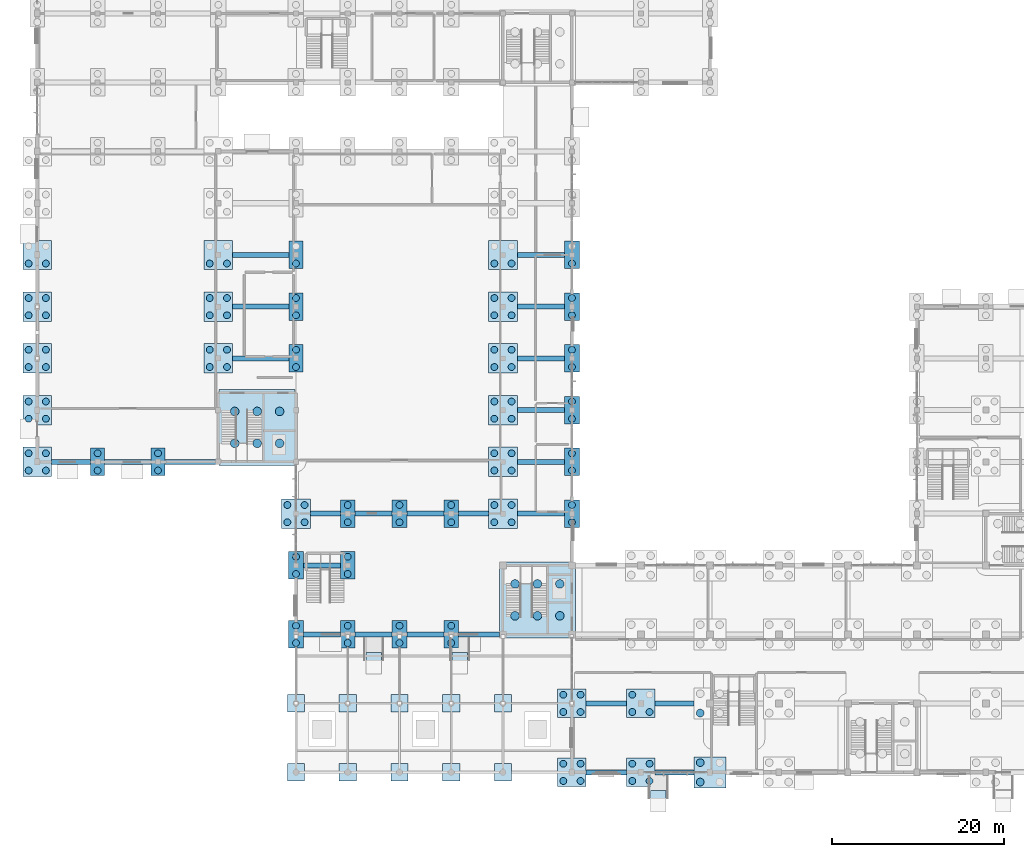
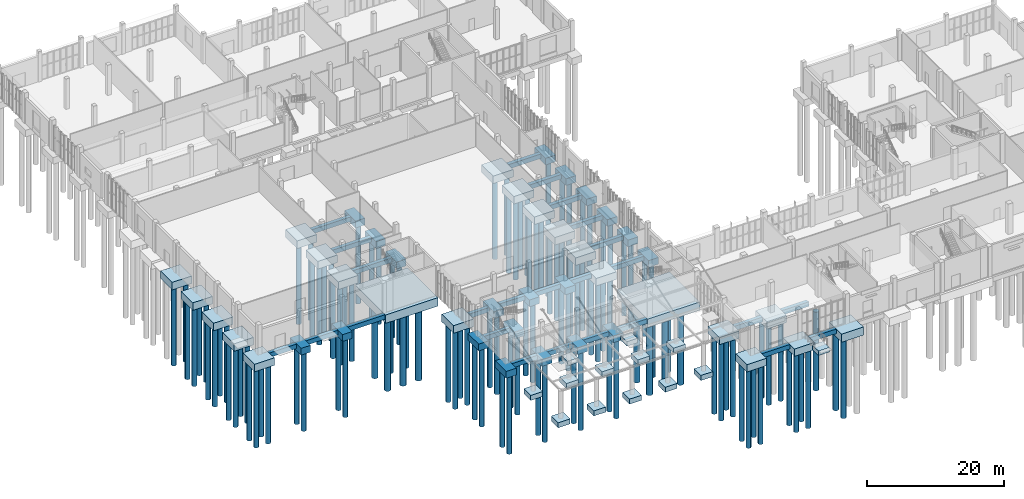
# One storey, part 1 of 69: 122 piles, 80 footings.
"""IFC4 building model written with IfcOpenShell, lengths in metres."""

import ifcopenshell
import ifcopenshell.guid

model = None  # the IFC model being written
_history = None  # IfcOwnerHistory: only IFC2X3 demands one
_inside = {}  # id of a spatial element -> (the spatial element, [elements in it])
_under = {}  # id of a project, library or spatial element -> (it, [spatial elements below it])
_declared = {}  # id of a project -> (the project, [libraries it declares])
_typed = {}  # id of a type object -> (the type object, [elements of that type])
_made_of = {}  # id of a material, layer set ... -> (it, [elements and type objects made of it])


def new_model(schema):
    """Start an empty IFC model of exactly this schema.

    Asked for "IFC4X3", IfcOpenShell would pick the latest addendum, in which some entities
    have other attributes; the version numbers below select the first issue.
    IFC2X3 requires an IfcOwnerHistory on every rooted entity: one is made here for all.
    """
    global model, _history
    if schema == "IFC4X3":
        model = ifcopenshell.file(schema_version=(4, 3, 0, 0))
    else:
        model = ifcopenshell.file(schema=schema)
    _inside.clear()
    _under.clear()
    _declared.clear()
    _typed.clear()
    _made_of.clear()
    _history = None
    if model.schema == "IFC2X3":
        org = make("IfcOrganization", Name="unknown")
        user = make(
            "IfcPersonAndOrganization",
            ThePerson=make("IfcPerson", FamilyName="unknown"),
            TheOrganization=org,
        )
        app = make(
            "IfcApplication",
            ApplicationDeveloper=org,
            Version="unknown",
            ApplicationFullName="unknown",
            ApplicationIdentifier="unknown",
        )
        _history = make(
            "IfcOwnerHistory",
            OwningUser=user,
            OwningApplication=app,
            ChangeAction="ADDED",
            CreationDate=0,
        )
    return model


def make(cls, **values):
    """One entity of the class cls with the attributes given. An attribute that is None is left unset."""
    return model.create_entity(
        cls, **{name: value for name, value in values.items() if value is not None}
    )


def rooted(cls, **values):
    """An entity with a GlobalId (a new one), such as an element, a storey or a relation."""
    return make(cls, GlobalId=ifcopenshell.guid.new(), OwnerHistory=_history, **values)


def si_unit(unit_type, name, prefix=None):
    """IfcSIUnit, for example si_unit("LENGTHUNIT", "METRE", prefix="MILLI")."""
    return make("IfcSIUnit", UnitType=unit_type, Prefix=prefix, Name=name)


def assignment(units):
    """IfcUnitAssignment: the units of a project."""
    return None if units is None else make("IfcUnitAssignment", Units=units)


def point(xyz):
    """IfcCartesianPoint."""
    return None if xyz is None else make("IfcCartesianPoint", Coordinates=xyz)


def direction(xyz):
    """IfcDirection."""
    return None if xyz is None else make("IfcDirection", DirectionRatios=xyz)


def frame(location, z_axis=None, x_axis=None):
    """IfcAxis2Placement3D, a coordinate frame: its origin and axes. An axis left out is left unset."""
    return make(
        "IfcAxis2Placement3D",
        Location=point(location),
        Axis=direction(z_axis),
        RefDirection=direction(x_axis),
    )


def frame_2d(location, x_axis=None):
    """IfcAxis2Placement2D, a coordinate frame in the plane: its origin and x axis."""
    return make(
        "IfcAxis2Placement2D", Location=point(location), RefDirection=direction(x_axis)
    )


def origin():
    """The frame at (0, 0, 0) with its axes left unset."""
    return frame((0.0, 0.0, 0.0))


def origin_2d():
    """The frame at (0, 0) in the plane with its x axis left unset."""
    return frame_2d((0.0, 0.0))


def place(relative_to, where):
    """IfcLocalPlacement: puts the frame where relative to a parent placement (None: the world)."""
    return make(
        "IfcLocalPlacement", PlacementRelTo=relative_to, RelativePlacement=where
    )


def context(
    kind, dimensions, precision=None, world=None, true_north=None, identifier=None
):
    """IfcGeometricRepresentationContext, for example the 3D "Model" context."""
    return make(
        "IfcGeometricRepresentationContext",
        ContextIdentifier=identifier,
        ContextType=kind,
        CoordinateSpaceDimension=dimensions,
        Precision=precision,
        WorldCoordinateSystem=world,
        TrueNorth=true_north,
    )


def subcontext(parent, identifier, kind, view, scale=None):
    """IfcGeometricRepresentationSubContext, for example "Body" below "Model"."""
    return make(
        "IfcGeometricRepresentationSubContext",
        ContextIdentifier=identifier,
        ContextType=kind,
        ParentContext=parent,
        TargetScale=scale,
        TargetView=view,
    )


def project(units=None, contexts=None):
    """IfcProject with its units and contexts."""
    return rooted(
        "IfcProject",
        Name="project",
        RepresentationContexts=contexts,
        UnitsInContext=assignment(units),
    )


def spatial(cls, under=None, at=None, **own):
    """A site, building, storey or space (cls), placed at a placement, below another one or the project."""
    s = rooted(cls, ObjectPlacement=at, **own)
    if under is not None:
        _under.setdefault(under.id(), (under, []))[1].append(s)
    return s


def profile(cls, at=None, kind="AREA", **sizes):
    """A parametric profile (cls). Its sizes go by their IFC names, for example OverallWidth=200.0."""
    return make(cls, ProfileType=kind, Position=at, **sizes)


def rectangle(**sizes):
    """IfcRectangleProfileDef."""
    return profile("IfcRectangleProfileDef", **sizes)


def circle(**sizes):
    """IfcCircleProfileDef."""
    return profile("IfcCircleProfileDef", **sizes)


def extrude(swept, where, along, depth):
    """IfcExtrudedAreaSolid: the profile swept, set in the frame where, extruded along a direction by depth."""
    return make(
        "IfcExtrudedAreaSolid",
        SweptArea=swept,
        Position=where,
        ExtrudedDirection=direction(along),
        Depth=depth,
    )


def shape(context_of_items, identifier, shape_type, items):
    """IfcShapeRepresentation: the items that make up one representation, for example the "Body"."""
    return make(
        "IfcShapeRepresentation",
        ContextOfItems=context_of_items,
        RepresentationIdentifier=identifier,
        RepresentationType=shape_type,
        Items=items,
    )


def material(Name=None, Category=None):
    """IfcMaterial."""
    return make("IfcMaterial", Name=Name, Category=Category)


def material_profile(
    of_material, cross_section, Name=None, Category=None, Priority=None
):
    """IfcMaterialProfile: a cross section and its material."""
    return make(
        "IfcMaterialProfile",
        Name=Name,
        Material=of_material,
        Profile=cross_section,
        Priority=Priority,
        Category=Category,
    )


def profile_set(profiles, Name=None, composite=None):
    """IfcMaterialProfileSet."""
    return make(
        "IfcMaterialProfileSet",
        Name=Name,
        MaterialProfiles=profiles,
        CompositeProfile=composite,
    )


def made_of(thing, what):
    """Note that an element or type object is made of a material, layer set ...; save() writes the relation."""
    if what is not None:
        _made_of.setdefault(what.id(), (what, []))[1].append(thing)
    return thing


def type_object(cls, material=None, **own):
    """A type object (cls), such as IfcWallType, which elements share."""
    return made_of(rooted(cls, **own), material)


def element(
    cls,
    number,
    at=None,
    inside=None,
    cuts=None,
    type_object=None,
    material=None,
    context=None,
    identifier="Body",
    shape_type=None,
    held_by="IfcProductDefinitionShape",
    body=None,
    shapes=None,
    **own,
):
    """One element of the class cls, such as IfcWall. Its Tag is "e" and its number.

    at: its placement. inside: the storey or other place that contains it. cuts: it is an
    opening in that element (IfcRelVoidsElement). A single representation is given by context,
    identifier, shape_type and body (its items); several are given by shapes. held_by: the class
    of the entity that holds the representations. save() writes the other relations.
    """
    e = rooted(cls, Tag="e%d" % number, ObjectPlacement=at, **own)
    if body is not None:
        shapes = [shape(context, identifier, shape_type, body)]
    if shapes is not None:
        e.Representation = make(held_by, Representations=shapes)
    if inside is not None:
        _inside.setdefault(inside.id(), (inside, []))[1].append(e)
    if cuts is not None:
        rooted(
            "IfcRelVoidsElement", RelatingBuildingElement=cuts, RelatedOpeningElement=e
        )
    if type_object is not None:
        _typed.setdefault(type_object.id(), (type_object, []))[1].append(e)
    return made_of(e, material)


def aggregate(whole, parts):
    """IfcRelAggregates: a whole, such as a stair, and the parts it consists of."""
    return rooted("IfcRelAggregates", RelatingObject=whole, RelatedObjects=parts)


def save(model, path):
    """Write the relations noted so far, then the file.

    IfcRelAggregates (storeys below a building ...), IfcRelContainedInSpatialStructure (elements
    in a storey), IfcRelDefinesByType, IfcRelAssociatesMaterial and IfcRelDeclares: one each for
    every whole, place, type object, material and project.
    """
    for whole, parts in _under.values():
        aggregate(whole, parts)
    for where, things in _inside.values():
        rooted(
            "IfcRelContainedInSpatialStructure",
            RelatedElements=things,
            RelatingStructure=where,
        )
    for kind, things in _typed.values():
        rooted("IfcRelDefinesByType", RelatedObjects=things, RelatingType=kind)
    for what, things in _made_of.values():
        rooted("IfcRelAssociatesMaterial", RelatedObjects=things, RelatingMaterial=what)
    for by, libraries in _declared.values():
        rooted("IfcRelDeclares", RelatingContext=by, RelatedDefinitions=libraries)
    model.write(path)


model = new_model("IFC4")

# Units and contexts
model_context = context("Model", 3, precision=1e-05, world=origin(), true_north=direction((0.0, 1.0)))
body_context = subcontext(model_context, "Body", "Model", "MODEL_VIEW")
ifc_project = project(units=[si_unit("LENGTHUNIT", "METRE"), si_unit("AREAUNIT", "SQUARE_METRE"), si_unit("VOLUMEUNIT", "CUBIC_METRE"), si_unit("PLANEANGLEUNIT", "RADIAN"), si_unit("MASSUNIT", "GRAM", prefix="KILO")], contexts=[model_context])

# Site, building, storey
site_placement = place(None, origin())
site = spatial("IfcSite", under=ifc_project, at=site_placement, CompositionType="ELEMENT")
building_placement = place(site_placement, origin())
building = spatial("IfcBuilding", under=site, at=building_placement, Name="Solvane Community Centre", CompositionType="ELEMENT")
storey_placement = place(building_placement, origin())
storey = spatial("IfcBuildingStorey", under=building, at=storey_placement, Name="L00", CompositionType="ELEMENT", Elevation=0.0)

# Piles
ifc_material = material(Name="Concrete C28/35", Category="concrete")
ifc_material_profile_1 = material_profile(ifc_material, circle(Radius=0.5, at=origin_2d()), Name="PILE D1000")
ifc_profile_set_1 = profile_set([ifc_material_profile_1], Name="Concrete C28/35")
pile_type_1 = type_object("IfcPileType", Name="Bored Saprolite Pile D1000", PredefinedType="BORED", material=ifc_profile_set_1)
for number, where, z_axis, x_axis, name in (
    (1, (61.39990234375, 24.14990234375, -1.679931640625), (0.0, 0.0, -1.0), (1.0, 0.0, 0.0), "Bored Pile PILE-C1-11"),
    (2, (61.39990234375, 27.85009765625, -1.679931640625), (0.0, 0.0, -1.0), (1.0, 0.0, 0.0), "Bored Pile PILE-C1-12"),
    (3, (64.0, 24.14990234375, -1.679931640625), (0.0, 0.0, -1.0), (1.0, 0.0, 0.0), "Bored Pile PILE-C1-21"),
    (4, (64.0, 27.85009765625, -1.679931640625), (0.0, 0.0, -1.0), (1.0, 0.0, 0.0), "Bored Pile PILE-C1-22"),
    (5, (66.60009765625, 24.14990234375, -1.679931640625), (0.0, 0.0, -1.0), (1.0, 0.0, 0.0), "Bored Pile PILE-C1-31"),
    (6, (66.60009765625, 27.85009765625, -1.679931640625), (0.0, 0.0, -1.0), (1.0, 0.0, 0.0), "Bored Pile PILE-C1-32"),
    (7, (28.89990234375, 44.14990234375, -1.679931640625), (0.0, 0.0, -1.0), (1.0, 0.0, 0.0), "Bored Pile PILE-C5-11"),
    (8, (28.89990234375, 47.85009765625, -1.679931640625), (0.0, 0.0, -1.0), (1.0, 0.0, 0.0), "Bored Pile PILE-C5-12"),
    (9, (31.5, 44.14990234375, -1.679931640625), (0.0, 0.0, -1.0), (1.0, 0.0, 0.0), "Bored Pile PILE-C5-21"),
    (10, (31.5, 47.85009765625, -1.679931640625), (0.0, 0.0, -1.0), (1.0, 0.0, 0.0), "Bored Pile PILE-C5-22"),
    (11, (34.10009765625, 44.14990234375, -1.679931640625), (0.0, 0.0, -1.0), (1.0, 0.0, 0.0), "Bored Pile PILE-C5-31"),
    (12, (34.10009765625, 47.85009765625, -1.679931640625), (0.0, 0.0, -1.0), (1.0, 0.0, 0.0), "Bored Pile PILE-C5-32"),
):
    element("IfcPile", number, at=place(storey_placement, frame(where, z_axis=z_axis, x_axis=x_axis)), inside=storey, type_object=pile_type_1, Name=name, PredefinedType="BORED", context=body_context, shape_type="SweptSolid", body=[
        extrude(circle(Radius=0.5, at=origin_2d()), origin(), (0.0, 0.0, 1.0), 14.0),
    ])
ifc_material_profile_2 = material_profile(ifc_material, circle(Radius=0.39990234375, at=origin_2d()), Name="PILE D800")
ifc_profile_set_2 = profile_set([ifc_material_profile_2], Name="Concrete C28/35")
pile_type_2 = type_object("IfcPileType", Name="Bored Saprolite Pile D800", PredefinedType="BORED", material=ifc_profile_set_2)
for number, where, z_axis, x_axis, name in (
    (13, (5.0, 41.0, -1.530029296875), (0.0, 0.0, -1.0), (1.0, 0.0, 0.0), "Bored Pile PILE-1-F-1"),
    (14, (7.0, 41.0, -1.530029296875), (0.0, 0.0, -1.0), (1.0, 0.0, 0.0), "Bored Pile PILE-1-F-2"),
    (15, (5.0, 43.0, -1.530029296875), (0.0, 0.0, -1.0), (1.0, 0.0, 0.0), "Bored Pile PILE-1-F-3"),
    (16, (7.0, 43.0, -1.530029296875), (0.0, 0.0, -1.0), (1.0, 0.0, 0.0), "Bored Pile PILE-1-F-4"),
    (17, (5.0, 47.0, -1.530029296875), (0.0, 0.0, -1.0), (1.0, 0.0, 0.0), "Bored Pile PILE-1-G-1"),
    (18, (7.0, 47.0, -1.530029296875), (0.0, 0.0, -1.0), (1.0, 0.0, 0.0), "Bored Pile PILE-1-G-2"),
    (19, (5.0, 49.0, -1.530029296875), (0.0, 0.0, -1.0), (1.0, 0.0, 0.0), "Bored Pile PILE-1-G-3"),
    (20, (7.0, 49.0, -1.530029296875), (0.0, 0.0, -1.0), (1.0, 0.0, 0.0), "Bored Pile PILE-1-G-4"),
    (21, (5.0, 53.0, -1.530029296875), (0.0, 0.0, -1.0), (1.0, 0.0, 0.0), "Bored Pile PILE-1-H-1"),
    (22, (7.0, 53.0, -1.530029296875), (0.0, 0.0, -1.0), (1.0, 0.0, 0.0), "Bored Pile PILE-1-H-2"),
    (23, (5.0, 55.0, -1.530029296875), (0.0, 0.0, -1.0), (1.0, 0.0, 0.0), "Bored Pile PILE-1-H-3"),
    (24, (7.0, 55.0, -1.530029296875), (0.0, 0.0, -1.0), (1.0, 0.0, 0.0), "Bored Pile PILE-1-H-4"),
    (25, (5.0, 59.0, -1.530029296875), (0.0, 0.0, -1.0), (1.0, 0.0, 0.0), "Bored Pile PILE-1-J-1"),
    (26, (7.0, 59.0, -1.530029296875), (0.0, 0.0, -1.0), (1.0, 0.0, 0.0), "Bored Pile PILE-1-J-2"),
    (27, (5.0, 61.0, -1.530029296875), (0.0, 0.0, -1.0), (1.0, 0.0, 0.0), "Bored Pile PILE-1-J-3"),
    (28, (7.0, 61.0, -1.530029296875), (0.0, 0.0, -1.0), (1.0, 0.0, 0.0), "Bored Pile PILE-1-J-4"),
    (29, (5.0, 65.0, -1.530029296875), (0.0, 0.0, -1.0), (1.0, 0.0, 0.0), "Bored Pile PILE-1-K-1"),
    (30, (7.0, 65.0, -1.530029296875), (0.0, 0.0, -1.0), (1.0, 0.0, 0.0), "Bored Pile PILE-1-K-2"),
    (31, (13.0, 41.0, -1.3798828125), (0.0, 0.0, -1.0), (1.0, 0.0, 0.0), "Bored Pile PILE-2-F-1"),
    (32, (13.0, 43.0, -1.3798828125), (0.0, 0.0, -1.0), (1.0, 0.0, 0.0), "Bored Pile PILE-2-F-2"),
    (33, (20.0, 41.0, -1.3798828125), (0.0, 0.0, -1.0), (1.0, 0.0, 0.0), "Bored Pile PILE-4-F-1"),
    (34, (20.0, 43.0, -1.3798828125), (0.0, 0.0, -1.0), (1.0, 0.0, 0.0), "Bored Pile PILE-4-F-2"),
    (35, (26.0, 53.0, -1.530029296875), (0.0, 0.0, -1.0), (1.0, 0.0, 0.0), "Bored Pile PILE-5-H-1"),
    (36, (28.0, 53.0, -1.530029296875), (0.0, 0.0, -1.0), (1.0, 0.0, 0.0), "Bored Pile PILE-5-H-2"),
    (37, (26.0, 55.0, -1.530029296875), (0.0, 0.0, -1.0), (1.0, 0.0, 0.0), "Bored Pile PILE-5-H-3"),
    (38, (28.0, 55.0, -1.530029296875), (0.0, 0.0, -1.0), (1.0, 0.0, 0.0), "Bored Pile PILE-5-H-4"),
    (39, (26.0, 59.0, -1.530029296875), (0.0, 0.0, -1.0), (1.0, 0.0, 0.0), "Bored Pile PILE-5-J-1"),
    (40, (28.0, 59.0, -1.530029296875), (0.0, 0.0, -1.0), (1.0, 0.0, 0.0), "Bored Pile PILE-5-J-2"),
    (41, (26.0, 61.0, -1.530029296875), (0.0, 0.0, -1.0), (1.0, 0.0, 0.0), "Bored Pile PILE-5-J-3"),
    (42, (28.0, 61.0, -1.530029296875), (0.0, 0.0, -1.0), (1.0, 0.0, 0.0), "Bored Pile PILE-5-J-4"),
    (43, (26.0, 65.0, -1.530029296875), (0.0, 0.0, -1.0), (1.0, 0.0, 0.0), "Bored Pile PILE-5-K-1"),
    (44, (28.0, 65.0, -1.530029296875), (0.0, 0.0, -1.0), (1.0, 0.0, 0.0), "Bored Pile PILE-5-K-2"),
    (45, (36.0, 21.0, -1.3798828125), (0.0, 0.0, -1.0), (1.0, 0.0, 0.0), "Bored Pile PILE-6-C-1"),
    (46, (36.0, 23.0, -1.3798828125), (0.0, 0.0, -1.0), (1.0, 0.0, 0.0), "Bored Pile PILE-6-C-2"),
    (47, (36.0, 29.0, -1.3798828125), (0.0, 0.0, -1.0), (1.0, 0.0, 0.0), "Bored Pile PILE-6-D-1"),
    (48, (36.0, 31.0, -1.3798828125), (0.0, 0.0, -1.0), (1.0, 0.0, 0.0), "Bored Pile PILE-6-D-2"),
    (49, (35.0, 35.0, -1.530029296875), (0.0, 0.0, -1.0), (1.0, 0.0, 0.0), "Bored Pile PILE-6-E-1"),
    (50, (37.0, 35.0, -1.530029296875), (0.0, 0.0, -1.0), (1.0, 0.0, 0.0), "Bored Pile PILE-6-E-2"),
    (51, (35.0, 37.0, -1.530029296875), (0.0, 0.0, -1.0), (1.0, 0.0, 0.0), "Bored Pile PILE-6-E-3"),
    (52, (37.0, 37.0, -1.530029296875), (0.0, 0.0, -1.0), (1.0, 0.0, 0.0), "Bored Pile PILE-6-E-4"),
    (53, (36.0, 53.0, -1.3798828125), (0.0, 0.0, -1.0), (1.0, 0.0, 0.0), "Bored Pile PILE-6-H-1"),
    (54, (36.0, 55.0, -1.3798828125), (0.0, 0.0, -1.0), (1.0, 0.0, 0.0), "Bored Pile PILE-6-H-2"),
    (55, (36.0, 59.0, -1.3798828125), (0.0, 0.0, -1.0), (1.0, 0.0, 0.0), "Bored Pile PILE-6-J-1"),
    (56, (36.0, 61.0, -1.3798828125), (0.0, 0.0, -1.0), (1.0, 0.0, 0.0), "Bored Pile PILE-6-J-2"),
    (57, (36.0, 65.0, -1.3798828125), (0.0, 0.0, -1.0), (1.0, 0.0, 0.0), "Bored Pile PILE-6-K-1"),
    (58, (42.0, 21.0, -1.3798828125), (0.0, 0.0, -1.0), (1.0, 0.0, 0.0), "Bored Pile PILE-7-C-1"),
    (59, (42.0, 23.0, -1.3798828125), (0.0, 0.0, -1.0), (1.0, 0.0, 0.0), "Bored Pile PILE-7-C-2"),
    (60, (42.0, 29.0, -1.3798828125), (0.0, 0.0, -1.0), (1.0, 0.0, 0.0), "Bored Pile PILE-7-D-1"),
    (61, (42.0, 31.0, -1.3798828125), (0.0, 0.0, -1.0), (1.0, 0.0, 0.0), "Bored Pile PILE-7-D-2"),
    (62, (42.0, 35.0, -1.3798828125), (0.0, 0.0, -1.0), (1.0, 0.0, 0.0), "Bored Pile PILE-7-E-1"),
    (63, (42.0, 37.0, -1.3798828125), (0.0, 0.0, -1.0), (1.0, 0.0, 0.0), "Bored Pile PILE-7-E-2"),
    (64, (48.0, 21.0, -1.3798828125), (0.0, 0.0, -1.0), (1.0, 0.0, 0.0), "Bored Pile PILE-8-C-1"),
    (65, (48.0, 23.0, -1.3798828125), (0.0, 0.0, -1.0), (1.0, 0.0, 0.0), "Bored Pile PILE-8-C-2"),
    (66, (48.0, 35.0, -1.3798828125), (0.0, 0.0, -1.0), (1.0, 0.0, 0.0), "Bored Pile PILE-8-E-1"),
    (67, (48.0, 37.0, -1.3798828125), (0.0, 0.0, -1.0), (1.0, 0.0, 0.0), "Bored Pile PILE-8-E-2"),
    (68, (54.0, 21.0, -1.3798828125), (0.0, 0.0, -1.0), (1.0, 0.0, 0.0), "Bored Pile PILE-9-C-1"),
    (69, (54.0, 23.0, -1.3798828125), (0.0, 0.0, -1.0), (1.0, 0.0, 0.0), "Bored Pile PILE-9-C-2"),
    (70, (54.0, 35.0, -1.3798828125), (0.0, 0.0, -1.0), (1.0, 0.0, 0.0), "Bored Pile PILE-9-E-1"),
    (71, (54.0, 37.0, -1.3798828125), (0.0, 0.0, -1.0), (1.0, 0.0, 0.0), "Bored Pile PILE-9-E-2"),
    (72, (59.0, 35.0, -1.530029296875), (0.0, 0.0, -1.0), (1.0, 0.0, 0.0), "Bored Pile PILE-10-E-1"),
    (73, (61.0, 35.0, -1.530029296875), (0.0, 0.0, -1.0), (1.0, 0.0, 0.0), "Bored Pile PILE-10-E-2"),
    (74, (59.0, 37.0, -1.530029296875), (0.0, 0.0, -1.0), (1.0, 0.0, 0.0), "Bored Pile PILE-10-E-3"),
    (75, (61.0, 37.0, -1.530029296875), (0.0, 0.0, -1.0), (1.0, 0.0, 0.0), "Bored Pile PILE-10-E-4"),
    (76, (59.0, 41.0, -1.530029296875), (0.0, 0.0, -1.0), (1.0, 0.0, 0.0), "Bored Pile PILE-10-F-1"),
    (77, (61.0, 41.0, -1.530029296875), (0.0, 0.0, -1.0), (1.0, 0.0, 0.0), "Bored Pile PILE-10-F-2"),
    (78, (59.0, 43.0, -1.530029296875), (0.0, 0.0, -1.0), (1.0, 0.0, 0.0), "Bored Pile PILE-10-F-3"),
    (79, (61.0, 43.0, -1.530029296875), (0.0, 0.0, -1.0), (1.0, 0.0, 0.0), "Bored Pile PILE-10-F-4"),
    (80, (59.0, 47.0, -1.530029296875), (0.0, 0.0, -1.0), (1.0, 0.0, 0.0), "Bored Pile PILE-10-G-1"),
    (81, (61.0, 47.0, -1.530029296875), (0.0, 0.0, -1.0), (1.0, 0.0, 0.0), "Bored Pile PILE-10-G-2"),
    (82, (59.0, 49.0, -1.530029296875), (0.0, 0.0, -1.0), (1.0, 0.0, 0.0), "Bored Pile PILE-10-G-3"),
    (83, (61.0, 49.0, -1.530029296875), (0.0, 0.0, -1.0), (1.0, 0.0, 0.0), "Bored Pile PILE-10-G-4"),
    (84, (59.0, 53.0, -1.530029296875), (0.0, 0.0, -1.0), (1.0, 0.0, 0.0), "Bored Pile PILE-10-H-1"),
    (85, (61.0, 53.0, -1.530029296875), (0.0, 0.0, -1.0), (1.0, 0.0, 0.0), "Bored Pile PILE-10-H-2"),
    (86, (59.0, 55.0, -1.530029296875), (0.0, 0.0, -1.0), (1.0, 0.0, 0.0), "Bored Pile PILE-10-H-3"),
    (87, (61.0, 55.0, -1.530029296875), (0.0, 0.0, -1.0), (1.0, 0.0, 0.0), "Bored Pile PILE-10-H-4"),
    (88, (59.0, 59.0, -1.530029296875), (0.0, 0.0, -1.0), (1.0, 0.0, 0.0), "Bored Pile PILE-10-J-1"),
    (89, (61.0, 59.0, -1.530029296875), (0.0, 0.0, -1.0), (1.0, 0.0, 0.0), "Bored Pile PILE-10-J-2"),
    (90, (59.0, 61.0, -1.530029296875), (0.0, 0.0, -1.0), (1.0, 0.0, 0.0), "Bored Pile PILE-10-J-3"),
    (91, (61.0, 61.0, -1.530029296875), (0.0, 0.0, -1.0), (1.0, 0.0, 0.0), "Bored Pile PILE-10-J-4"),
    (92, (59.0, 65.0, -1.530029296875), (0.0, 0.0, -1.0), (1.0, 0.0, 0.0), "Bored Pile PILE-10-K-1"),
    (93, (61.0, 65.0, -1.530029296875), (0.0, 0.0, -1.0), (1.0, 0.0, 0.0), "Bored Pile PILE-10-K-2"),
    (94, (67.0, 5.0, -1.47998046875), (0.0, 0.0, -1.0), (1.0, 0.0, 0.0), "Bored Pile PILE-11-A-1"),
    (95, (69.0, 5.0, -1.47998046875), (0.0, 0.0, -1.0), (1.0, 0.0, 0.0), "Bored Pile PILE-11-A-2"),
    (96, (67.0, 7.0, -1.47998046875), (0.0, 0.0, -1.0), (1.0, 0.0, 0.0), "Bored Pile PILE-11-A-3"),
    (97, (69.0, 7.0, -1.47998046875), (0.0, 0.0, -1.0), (1.0, 0.0, 0.0), "Bored Pile PILE-11-A-4"),
    (98, (67.0, 13.0, -1.47998046875), (0.0, 0.0, -1.0), (1.0, 0.0, 0.0), "Bored Pile PILE-11-B-1"),
    (99, (69.0, 13.0, -1.47998046875), (0.0, 0.0, -1.0), (1.0, 0.0, 0.0), "Bored Pile PILE-11-B-2"),
    (100, (67.0, 15.0, -1.47998046875), (0.0, 0.0, -1.0), (1.0, 0.0, 0.0), "Bored Pile PILE-11-B-3"),
    (101, (69.0, 15.0, -1.47998046875), (0.0, 0.0, -1.0), (1.0, 0.0, 0.0), "Bored Pile PILE-11-B-4"),
    (102, (68.0, 35.0, -1.3798828125), (0.0, 0.0, -1.0), (1.0, 0.0, 0.0), "Bored Pile PILE-11-E-1"),
    (103, (68.0, 37.0, -1.3798828125), (0.0, 0.0, -1.0), (1.0, 0.0, 0.0), "Bored Pile PILE-11-E-2"),
    (104, (68.0, 41.0, -1.3798828125), (0.0, 0.0, -1.0), (1.0, 0.0, 0.0), "Bored Pile PILE-11-F-1"),
    (105, (68.0, 43.0, -1.3798828125), (0.0, 0.0, -1.0), (1.0, 0.0, 0.0), "Bored Pile PILE-11-F-2"),
    (106, (68.0, 47.0, -1.3798828125), (0.0, 0.0, -1.0), (1.0, 0.0, 0.0), "Bored Pile PILE-11-G-1"),
    (107, (68.0, 49.0, -1.3798828125), (0.0, 0.0, -1.0), (1.0, 0.0, 0.0), "Bored Pile PILE-11-G-2"),
    (108, (68.0, 53.0, -1.3798828125), (0.0, 0.0, -1.0), (1.0, 0.0, 0.0), "Bored Pile PILE-11-H-1"),
    (109, (68.0, 55.0, -1.3798828125), (0.0, 0.0, -1.0), (1.0, 0.0, 0.0), "Bored Pile PILE-11-H-2"),
    (110, (68.0, 59.0, -1.3798828125), (0.0, 0.0, -1.0), (1.0, 0.0, 0.0), "Bored Pile PILE-11-J-1"),
    (111, (68.0, 61.0, -1.3798828125), (0.0, 0.0, -1.0), (1.0, 0.0, 0.0), "Bored Pile PILE-11-J-2"),
    (112, (68.0, 65.0, -1.3798828125), (0.0, 0.0, -1.0), (1.0, 0.0, 0.0), "Bored Pile PILE-11-K-1"),
    (113, (75.0, 5.0, -1.47998046875), (0.0, 0.0, -1.0), (1.0, 0.0, 0.0), "Bored Pile PILE-12-A-1"),
    (114, (77.0, 5.0, -1.47998046875), (0.0, 0.0, -1.0), (1.0, 0.0, 0.0), "Bored Pile PILE-12-A-2"),
    (115, (75.0, 7.0, -1.47998046875), (0.0, 0.0, -1.0), (1.0, 0.0, 0.0), "Bored Pile PILE-12-A-3"),
    (116, (77.0, 7.0, -1.47998046875), (0.0, 0.0, -1.0), (1.0, 0.0, 0.0), "Bored Pile PILE-12-A-4"),
    (117, (75.0, 13.0, -1.47998046875), (0.0, 0.0, -1.0), (1.0, 0.0, 0.0), "Bored Pile PILE-12-B-1"),
    (118, (77.0, 13.0, -1.47998046875), (0.0, 0.0, -1.0), (1.0, 0.0, 0.0), "Bored Pile PILE-12-B-2"),
    (119, (75.0, 15.0, -1.47998046875), (0.0, 0.0, -1.0), (1.0, 0.0, 0.0), "Bored Pile PILE-12-B-3"),
):
    element("IfcPile", number, at=place(storey_placement, frame(where, z_axis=z_axis, x_axis=x_axis)), inside=storey, type_object=pile_type_2, Name=name, PredefinedType="BORED", context=body_context, shape_type="SweptSolid", body=[
        extrude(circle(Radius=0.39990234375, at=origin_2d()), origin(), (0.0, 0.0, 1.0), 14.0),
    ])
ifc_material_profile_3 = material_profile(ifc_material, circle(Radius=0.449951171875, at=origin_2d()), Name="PILE D900")
ifc_profile_set_3 = profile_set([ifc_material_profile_3], Name="Concrete C28/35")
pile_type_3 = type_object("IfcPileType", Name="Bored Saprolite Pile D900", PredefinedType="BORED", material=ifc_profile_set_3)
for number, where, z_axis, x_axis, name in (
    (120, (82.875, 4.875, -1.6298828125), (0.0, 0.0, -1.0), (1.0, 0.0, 0.0), "Bored Pile PILE-13-A-1"),
    (121, (82.875, 7.125, -1.6298828125), (0.0, 0.0, -1.0), (1.0, 0.0, 0.0), "Bored Pile PILE-13-A-3"),
    (122, (82.875, 12.875, -1.580078125), (0.0, 0.0, -1.0), (1.0, 0.0, 0.0), "Bored Pile PILE-13-B-1"),
):
    element("IfcPile", number, at=place(storey_placement, frame(where, z_axis=z_axis, x_axis=x_axis)), inside=storey, type_object=pile_type_3, Name=name, PredefinedType="BORED", context=body_context, shape_type="SweptSolid", body=[
        extrude(circle(Radius=0.449951171875, at=origin_2d()), origin(), (0.0, 0.0, 1.0), 14.0),
    ])

# Footings
footing_type_1 = type_object("IfcFootingType", Name="Canopy Pad Footing PF1 2000x2000x900", PredefinedType="PAD_FOOTING", material=ifc_material)
for number, where, z_axis, x_axis, name in (
    (123, (36.0, 6.0, -0.89990234375), (0.0, 0.0, 1.0), (1.0, 0.0, 0.0), "Canopy Pad Footing 6A"),
    (124, (36.0, 14.0, -0.89990234375), (0.0, 0.0, 1.0), (1.0, 0.0, 0.0), "Canopy Pad Footing 6B"),
    (125, (42.0, 6.0, -0.89990234375), (0.0, 0.0, 1.0), (1.0, 0.0, 0.0), "Canopy Pad Footing 7A"),
    (126, (42.0, 14.0, -0.89990234375), (0.0, 0.0, 1.0), (1.0, 0.0, 0.0), "Canopy Pad Footing 7B"),
    (127, (48.0, 6.0, -0.89990234375), (0.0, 0.0, 1.0), (1.0, 0.0, 0.0), "Canopy Pad Footing 8A"),
    (128, (48.0, 14.0, -0.89990234375), (0.0, 0.0, 1.0), (1.0, 0.0, 0.0), "Canopy Pad Footing 8B"),
    (129, (54.0, 6.0, -0.89990234375), (0.0, 0.0, 1.0), (1.0, 0.0, 0.0), "Canopy Pad Footing 9A"),
    (130, (54.0, 14.0, -0.89990234375), (0.0, 0.0, 1.0), (1.0, 0.0, 0.0), "Canopy Pad Footing 9B"),
    (131, (60.0, 6.0, -0.89990234375), (0.0, 0.0, 1.0), (1.0, 0.0, 0.0), "Canopy Pad Footing 10A"),
    (132, (60.0, 14.0, -0.89990234375), (0.0, 0.0, 1.0), (1.0, 0.0, 0.0), "Canopy Pad Footing 10B"),
):
    element("IfcFooting", number, at=place(storey_placement, frame(where, z_axis=z_axis, x_axis=x_axis)), inside=storey, type_object=footing_type_1, Name=name, PredefinedType="PAD_FOOTING", context=body_context, shape_type="SweptSolid", body=[
        extrude(rectangle(XDim=2.0, YDim=2.0, at=origin_2d()), origin(), (0.0, 0.0, 1.0), 0.89990234375),
    ])
footing_type_2 = type_object("IfcFootingType", Name="Cloister Pad Footing PF2 1800x1800x800", PredefinedType="PAD_FOOTING", material=ifc_material)
for number, where, z_axis, x_axis, name in (
    (133, (45.0, 19.0, -1.0400390625), (0.0, 0.0, 1.0), (1.0, 0.0, 0.0), "Ramp Support Footing FTG-RMP-01-BOT"),
    (134, (55.0, 19.0, -1.0400390625), (0.0, 0.0, 1.0), (1.0, 0.0, 0.0), "Ramp Support Footing FTG-RMP-02-BOT"),
    (135, (78.0, 3.0, -1.0400390625), (0.0, 0.0, 1.0), (1.0, 0.0, 0.0), "Ramp Support Footing FTG-RMP-03-BOT"),
):
    element("IfcFooting", number, at=place(storey_placement, frame(where, z_axis=z_axis, x_axis=x_axis)), inside=storey, type_object=footing_type_2, Name=name, PredefinedType="PAD_FOOTING", context=body_context, shape_type="SweptSolid", body=[
        extrude(rectangle(XDim=1.800048828125, YDim=1.800048828125, at=origin_2d()), origin(), (0.0, 0.0, 1.0), 0.800048828125),
    ])
footing_type_3 = type_object("IfcFootingType", Name="Core Mat Cap MC1 8800x8800x1500", PredefinedType="PILE_CAP", material=ifc_material)
for number, where, z_axis, x_axis, name in (
    (136, (64.0, 26.0, -1.780029296875), (0.0, 0.0, 1.0), (1.0, 0.0, 0.0), "Core Pile Cap C1"),
    (137, (31.5, 46.0, -1.780029296875), (0.0, 0.0, 1.0), (1.0, 0.0, 0.0), "Core Pile Cap C5"),
):
    element("IfcFooting", number, at=place(storey_placement, frame(where, z_axis=z_axis, x_axis=x_axis)), inside=storey, type_object=footing_type_3, Name=name, PredefinedType="PILE_CAP", context=body_context, shape_type="SweptSolid", body=[
        extrude(rectangle(XDim=8.800048828125, YDim=8.800048828125, at=origin_2d()), origin(), (0.0, 0.0, 1.0), 1.5),
    ])
footing_type_4 = type_object("IfcFootingType", Name="Pile Cap 160x320x120cm", PredefinedType="PILE_CAP", material=ifc_material)
for number, where, z_axis, x_axis, name in (
    (138, (13.0, 42.0, -1.47998046875), (0.0, 0.0, 1.0), (1.0, 0.0, 0.0), "Pile Cap 2F"),
    (139, (20.0, 42.0, -1.47998046875), (0.0, 0.0, 1.0), (1.0, 0.0, 0.0), "Pile Cap 4F"),
    (140, (36.0, 54.0, -1.47998046875), (0.0, 0.0, 1.0), (1.0, 0.0, 0.0), "Pile Cap 6H"),
    (141, (36.0, 60.0, -1.47998046875), (0.0, 0.0, 1.0), (1.0, 0.0, 0.0), "Pile Cap 6J"),
    (142, (36.0, 66.0, -1.47998046875), (0.0, 0.0, 1.0), (1.0, 0.0, 0.0), "Pile Cap 6K"),
):
    element("IfcFooting", number, at=place(storey_placement, frame(where, z_axis=z_axis, x_axis=x_axis)), inside=storey, type_object=footing_type_4, Name=name, PredefinedType="PILE_CAP", context=body_context, shape_type="SweptSolid", body=[
        extrude(rectangle(XDim=1.60009765625, YDim=3.199951171875, at=origin_2d()), origin(), (0.0, 0.0, 1.0), 1.199951171875),
    ])
footing_type_5 = type_object("IfcFootingType", Name="Pile Cap 170x320x120cm", PredefinedType="PILE_CAP", material=ifc_material)
for number, where, z_axis, x_axis, name in (
    (143, (36.0, 22.0, -1.47998046875), (0.0, 0.0, 1.0), (1.0, 0.0, 0.0), "Pile Cap 6C"),
    (144, (36.0, 30.0, -1.47998046875), (0.0, 0.0, 1.0), (1.0, 0.0, 0.0), "Pile Cap 6D"),
    (145, (42.0, 22.0, -1.47998046875), (0.0, 0.0, 1.0), (1.0, 0.0, 0.0), "Pile Cap 7C"),
    (146, (42.0, 30.0, -1.47998046875), (0.0, 0.0, 1.0), (1.0, 0.0, 0.0), "Pile Cap 7D"),
    (147, (42.0, 36.0, -1.47998046875), (0.0, 0.0, 1.0), (1.0, 0.0, 0.0), "Pile Cap 7E"),
    (148, (48.0, 22.0, -1.47998046875), (0.0, 0.0, 1.0), (1.0, 0.0, 0.0), "Pile Cap 8C"),
    (149, (48.0, 36.0, -1.47998046875), (0.0, 0.0, 1.0), (1.0, 0.0, 0.0), "Pile Cap 8E"),
    (150, (54.0, 22.0, -1.47998046875), (0.0, 0.0, 1.0), (1.0, 0.0, 0.0), "Pile Cap 9C"),
    (151, (54.0, 36.0, -1.47998046875), (0.0, 0.0, 1.0), (1.0, 0.0, 0.0), "Pile Cap 9E"),
    (152, (68.0, 36.0, -1.47998046875), (0.0, 0.0, 1.0), (1.0, 0.0, 0.0), "Pile Cap 11E"),
    (153, (68.0, 42.0, -1.47998046875), (0.0, 0.0, 1.0), (1.0, 0.0, 0.0), "Pile Cap 11F"),
    (154, (68.0, 48.0, -1.47998046875), (0.0, 0.0, 1.0), (1.0, 0.0, 0.0), "Pile Cap 11G"),
    (155, (68.0, 54.0, -1.47998046875), (0.0, 0.0, 1.0), (1.0, 0.0, 0.0), "Pile Cap 11H"),
    (156, (68.0, 60.0, -1.47998046875), (0.0, 0.0, 1.0), (1.0, 0.0, 0.0), "Pile Cap 11J"),
    (157, (68.0, 66.0, -1.47998046875), (0.0, 0.0, 1.0), (1.0, 0.0, 0.0), "Pile Cap 11K"),
):
    element("IfcFooting", number, at=place(storey_placement, frame(where, z_axis=z_axis, x_axis=x_axis)), inside=storey, type_object=footing_type_5, Name=name, PredefinedType="PILE_CAP", context=body_context, shape_type="SweptSolid", body=[
        extrude(rectangle(XDim=1.699951171875, YDim=3.199951171875, at=origin_2d()), origin(), (0.0, 0.0, 1.0), 1.199951171875),
    ])
footing_type_6 = type_object("IfcFootingType", Name="Pile Cap 330x330x130cm", PredefinedType="PILE_CAP", material=ifc_material)
for number, where, z_axis, x_axis, name in (
    (158, (68.0, 6.0, -1.580078125), (0.0, 0.0, 1.0), (1.0, 0.0, 0.0), "Pile Cap 11A"),
    (159, (68.0, 14.0, -1.580078125), (0.0, 0.0, 1.0), (1.0, 0.0, 0.0), "Pile Cap 11B"),
    (160, (76.0, 6.0, -1.580078125), (0.0, 0.0, 1.0), (1.0, 0.0, 0.0), "Pile Cap 12A"),
    (161, (76.0, 14.0, -1.580078125), (0.0, 0.0, 1.0), (1.0, 0.0, 0.0), "Pile Cap 12B"),
):
    element("IfcFooting", number, at=place(storey_placement, frame(where, z_axis=z_axis, x_axis=x_axis)), inside=storey, type_object=footing_type_6, Name=name, PredefinedType="PILE_CAP", context=body_context, shape_type="SweptSolid", body=[
        extrude(rectangle(XDim=3.300048828125, YDim=3.300048828125, at=origin_2d()), origin(), (0.0, 0.0, 1.0), 1.300048828125),
    ])
footing_type_7 = type_object("IfcFootingType", Name="Pile Cap 330x340x135cm", PredefinedType="PILE_CAP", material=ifc_material)
for number, where, z_axis, x_axis, name in (
    (162, (6.0, 42.0, -1.630126953125), (0.0, 0.0, 1.0), (1.0, 0.0, 0.0), "Pile Cap 1F"),
    (163, (6.0, 48.0, -1.630126953125), (0.0, 0.0, 1.0), (1.0, 0.0, 0.0), "Pile Cap 1G"),
    (164, (6.0, 54.0, -1.630126953125), (0.0, 0.0, 1.0), (1.0, 0.0, 0.0), "Pile Cap 1H"),
    (165, (6.0, 60.0, -1.630126953125), (0.0, 0.0, 1.0), (1.0, 0.0, 0.0), "Pile Cap 1J"),
    (166, (6.0, 66.0, -1.630126953125), (0.0, 0.0, 1.0), (1.0, 0.0, 0.0), "Pile Cap 1K"),
    (167, (27.0, 54.0, -1.630126953125), (0.0, 0.0, 1.0), (1.0, 0.0, 0.0), "Pile Cap 5H"),
    (168, (27.0, 60.0, -1.630126953125), (0.0, 0.0, 1.0), (1.0, 0.0, 0.0), "Pile Cap 5J"),
    (169, (27.0, 66.0, -1.630126953125), (0.0, 0.0, 1.0), (1.0, 0.0, 0.0), "Pile Cap 5K"),
):
    element("IfcFooting", number, at=place(storey_placement, frame(where, z_axis=z_axis, x_axis=x_axis)), inside=storey, type_object=footing_type_7, Name=name, PredefinedType="PILE_CAP", context=body_context, shape_type="SweptSolid", body=[
        extrude(rectangle(XDim=3.300048828125, YDim=3.39990234375, at=origin_2d()), origin(), (0.0, 0.0, 1.0), 1.35009765625),
    ])
footing_type_8 = type_object("IfcFootingType", Name="Pile Cap 340x340x135cm", PredefinedType="PILE_CAP", material=ifc_material)
for number, where, z_axis, x_axis, name in (
    (170, (36.0, 36.0, -1.630126953125), (0.0, 0.0, 1.0), (1.0, 0.0, 0.0), "Pile Cap 6E"),
    (171, (60.0, 36.0, -1.630126953125), (0.0, 0.0, 1.0), (1.0, 0.0, 0.0), "Pile Cap 10E"),
    (172, (60.0, 42.0, -1.630126953125), (0.0, 0.0, 1.0), (1.0, 0.0, 0.0), "Pile Cap 10F"),
    (173, (60.0, 48.0, -1.630126953125), (0.0, 0.0, 1.0), (1.0, 0.0, 0.0), "Pile Cap 10G"),
    (174, (60.0, 54.0, -1.630126953125), (0.0, 0.0, 1.0), (1.0, 0.0, 0.0), "Pile Cap 10H"),
    (175, (60.0, 60.0, -1.630126953125), (0.0, 0.0, 1.0), (1.0, 0.0, 0.0), "Pile Cap 10J"),
    (176, (60.0, 66.0, -1.630126953125), (0.0, 0.0, 1.0), (1.0, 0.0, 0.0), "Pile Cap 10K"),
):
    element("IfcFooting", number, at=place(storey_placement, frame(where, z_axis=z_axis, x_axis=x_axis)), inside=storey, type_object=footing_type_8, Name=name, PredefinedType="PILE_CAP", context=body_context, shape_type="SweptSolid", body=[
        extrude(rectangle(XDim=3.39990234375, YDim=3.39990234375, at=origin_2d()), origin(), (0.0, 0.0, 1.0), 1.35009765625),
    ])
footing_type_9 = type_object("IfcFootingType", Name="Pile Cap 370x360x145cm", PredefinedType="PILE_CAP", material=ifc_material)
footing_1_placement = place(storey_placement, frame((84.0, 6.0, -1.72998046875), z_axis=(0.0, 0.0, 1.0), x_axis=(1.0, 0.0, 0.0)))
element("IfcFooting", 177, at=footing_1_placement, inside=storey, type_object=footing_type_9, Name="Pile Cap 13A", PredefinedType="PILE_CAP", context=body_context, shape_type="SweptSolid", body=[
    extrude(rectangle(XDim=3.699951171875, YDim=3.60009765625, at=origin_2d()), origin(), (0.0, 0.0, 1.0), 1.449951171875),
])
footing_type_10 = type_object("IfcFootingType", Name="Seismic Ground Tie Beam 600x800 L34dm", PredefinedType="FOOTING_BEAM", material=ifc_material)
for number, where, z_axis, x_axis, name in (
    (178, (39.425048828125, 36.0, -1.080078125), (0.0, 0.0, 1.0), (1.0, 0.0, 0.0), "Ground Tie Beam FTG-GTB-X-048"),
    (179, (56.574951171875, 36.0, -1.080078125), (0.0, 0.0, 1.0), (1.0, 0.0, 0.0), "Ground Tie Beam FTG-GTB-X-051"),
):
    element("IfcFooting", number, at=place(storey_placement, frame(where, z_axis=z_axis, x_axis=x_axis)), inside=storey, type_object=footing_type_10, Name=name, PredefinedType="FOOTING_BEAM", context=body_context, shape_type="SweptSolid", body=[
        extrude(rectangle(XDim=3.449951171875, YDim=0.60009765625, at=origin_2d()), origin(), (0.0, 0.0, 1.0), 0.800048828125),
    ])
footing_type_11 = type_object("IfcFootingType", Name="Seismic Ground Tie Beam 600x800 L43dm", PredefinedType="FOOTING_BEAM", material=ifc_material)
for number, where, z_axis, x_axis, name in (
    (180, (39.0, 22.0, -1.080078125), (0.0, 0.0, 1.0), (1.0, 0.0, 0.0), "Ground Tie Beam FTG-GTB-X-019"),
    (181, (45.0, 22.0, -1.080078125), (0.0, 0.0, 1.0), (1.0, 0.0, 0.0), "Ground Tie Beam FTG-GTB-X-020"),
    (182, (51.0, 22.0, -1.080078125), (0.0, 0.0, 1.0), (1.0, 0.0, 0.0), "Ground Tie Beam FTG-GTB-X-021"),
    (183, (39.0, 30.0, -1.080078125), (0.0, 0.0, 1.0), (1.0, 0.0, 0.0), "Ground Tie Beam FTG-GTB-X-036"),
    (184, (45.0, 36.0, -1.080078125), (0.0, 0.0, 1.0), (1.0, 0.0, 0.0), "Ground Tie Beam FTG-GTB-X-049"),
    (185, (51.0, 36.0, -1.080078125), (0.0, 0.0, 1.0), (1.0, 0.0, 0.0), "Ground Tie Beam FTG-GTB-X-050"),
):
    element("IfcFooting", number, at=place(storey_placement, frame(where, z_axis=z_axis, x_axis=x_axis)), inside=storey, type_object=footing_type_11, Name=name, PredefinedType="FOOTING_BEAM", context=body_context, shape_type="SweptSolid", body=[
        extrude(rectangle(XDim=4.300048828125, YDim=0.60009765625, at=origin_2d()), origin(), (0.0, 0.0, 1.0), 0.800048828125),
    ])
footing_type_12 = type_object("IfcFootingType", Name="Seismic Ground Tie Beam 600x800 L45dm", PredefinedType="FOOTING_BEAM", material=ifc_material)
for number, where, z_axis, x_axis, name in (
    (186, (79.89990234375, 6.0, -1.080078125), (0.0, 0.0, 1.0), (1.0, 0.0, 0.0), "Ground Tie Beam FTG-GTB-X-002"),
    (187, (79.89990234375, 14.0, -1.080078125), (0.0, 0.0, 1.0), (1.0, 0.0, 0.0), "Ground Tie Beam FTG-GTB-X-013"),
):
    element("IfcFooting", number, at=place(storey_placement, frame(where, z_axis=z_axis, x_axis=x_axis)), inside=storey, type_object=footing_type_12, Name=name, PredefinedType="FOOTING_BEAM", context=body_context, shape_type="SweptSolid", body=[
        extrude(rectangle(XDim=4.5, YDim=0.60009765625, at=origin_2d()), origin(), (0.0, 0.0, 1.0), 0.800048828125),
    ])
footing_type_13 = type_object("IfcFootingType", Name="Seismic Ground Tie Beam 600x800 L46dm", PredefinedType="FOOTING_BEAM", material=ifc_material)
footing_2_placement = place(storey_placement, frame((9.925048828125, 42.0, -1.080078125), z_axis=(0.0, 0.0, 1.0), x_axis=(1.0, 0.0, 0.0)))
element("IfcFooting", 188, at=footing_2_placement, inside=storey, type_object=footing_type_13, Name="Ground Tie Beam FTG-GTB-X-059", PredefinedType="FOOTING_BEAM", context=body_context, shape_type="SweptSolid", body=[
    extrude(rectangle(XDim=4.550048828125, YDim=0.60009765625, at=origin_2d()), origin(), (0.0, 0.0, 1.0), 0.800048828125),
])
footing_type_14 = type_object("IfcFootingType", Name="Seismic Ground Tie Beam 600x800 L47dm", PredefinedType="FOOTING_BEAM", material=ifc_material)
for number, where, z_axis, x_axis, name in (
    (189, (72.0, 6.0, -1.080078125), (0.0, 0.0, 1.0), (1.0, 0.0, 0.0), "Ground Tie Beam FTG-GTB-X-001"),
    (190, (72.0, 14.0, -1.080078125), (0.0, 0.0, 1.0), (1.0, 0.0, 0.0), "Ground Tie Beam FTG-GTB-X-012"),
):
    element("IfcFooting", number, at=place(storey_placement, frame(where, z_axis=z_axis, x_axis=x_axis)), inside=storey, type_object=footing_type_14, Name=name, PredefinedType="FOOTING_BEAM", context=body_context, shape_type="SweptSolid", body=[
        extrude(rectangle(XDim=4.699951171875, YDim=0.60009765625, at=origin_2d()), origin(), (0.0, 0.0, 1.0), 0.800048828125),
    ])
footing_type_15 = type_object("IfcFootingType", Name="Seismic Ground Tie Beam 600x800 L48dm", PredefinedType="FOOTING_BEAM", material=ifc_material)
footing_3_placement = place(storey_placement, frame((57.22509765625, 22.0, -1.080078125), z_axis=(0.0, 0.0, 1.0), x_axis=(1.0, 0.0, 0.0)))
element("IfcFooting", 191, at=footing_3_placement, inside=storey, type_object=footing_type_15, Name="Ground Tie Beam FTG-GTB-X-022", PredefinedType="FOOTING_BEAM", context=body_context, shape_type="SweptSolid", body=[
    extrude(rectangle(XDim=4.75, YDim=0.60009765625, at=origin_2d()), origin(), (0.0, 0.0, 1.0), 0.800048828125),
])
footing_type_16 = type_object("IfcFootingType", Name="Seismic Ground Tie Beam 600x800 L54dm", PredefinedType="FOOTING_BEAM", material=ifc_material)
footing_4_placement = place(storey_placement, frame((64.425048828125, 36.0, -1.080078125), z_axis=(0.0, 0.0, 1.0), x_axis=(1.0, 0.0, 0.0)))
element("IfcFooting", 192, at=footing_4_placement, inside=storey, type_object=footing_type_16, Name="Ground Tie Beam FTG-GTB-X-052", PredefinedType="FOOTING_BEAM", context=body_context, shape_type="SweptSolid", body=[
    extrude(rectangle(XDim=5.449951171875, YDim=0.60009765625, at=origin_2d()), origin(), (0.0, 0.0, 1.0), 0.800048828125),
])
footing_5_placement = place(storey_placement, frame((16.5, 42.0, -1.080078125), z_axis=(0.0, 0.0, 1.0), x_axis=(1.0, 0.0, 0.0)))
element("IfcFooting", 193, at=footing_5_placement, inside=storey, type_object=footing_type_16, Name="Ground Tie Beam FTG-GTB-X-060", PredefinedType="FOOTING_BEAM", context=body_context, shape_type="SweptSolid", body=[
    extrude(rectangle(XDim=5.39990234375, YDim=0.60009765625, at=origin_2d()), origin(), (0.0, 0.0, 1.0), 0.800048828125),
])
for number, where, z_axis, x_axis, name in (
    (194, (64.425048828125, 42.0, -1.080078125), (0.0, 0.0, 1.0), (1.0, 0.0, 0.0), "Ground Tie Beam FTG-GTB-X-062"),
    (195, (64.425048828125, 48.0, -1.080078125), (0.0, 0.0, 1.0), (1.0, 0.0, 0.0), "Ground Tie Beam FTG-GTB-X-071"),
    (196, (64.425048828125, 54.0, -1.080078125), (0.0, 0.0, 1.0), (1.0, 0.0, 0.0), "Ground Tie Beam FTG-GTB-X-080"),
    (197, (64.425048828125, 60.0, -1.080078125), (0.0, 0.0, 1.0), (1.0, 0.0, 0.0), "Ground Tie Beam FTG-GTB-X-089"),
    (198, (64.425048828125, 66.0, -1.080078125), (0.0, 0.0, 1.0), (1.0, 0.0, 0.0), "Ground Tie Beam FTG-GTB-X-095"),
):
    element("IfcFooting", number, at=place(storey_placement, frame(where, z_axis=z_axis, x_axis=x_axis)), inside=storey, type_object=footing_type_16, Name=name, PredefinedType="FOOTING_BEAM", context=body_context, shape_type="SweptSolid", body=[
        extrude(rectangle(XDim=5.449951171875, YDim=0.60009765625, at=origin_2d()), origin(), (0.0, 0.0, 1.0), 0.800048828125),
    ])
footing_type_17 = type_object("IfcFootingType", Name="Seismic Ground Tie Beam 600x800 L63dm", PredefinedType="FOOTING_BEAM", material=ifc_material)
footing_6_placement = place(storey_placement, frame((23.949951171875, 42.0, -1.080078125), z_axis=(0.0, 0.0, 1.0), x_axis=(1.0, 0.0, 0.0)))
element("IfcFooting", 199, at=footing_6_placement, inside=storey, type_object=footing_type_17, Name="Ground Tie Beam FTG-GTB-X-061", PredefinedType="FOOTING_BEAM", context=body_context, shape_type="SweptSolid", body=[
    extrude(rectangle(XDim=6.300048828125, YDim=0.60009765625, at=origin_2d()), origin(), (0.0, 0.0, 1.0), 0.800048828125),
])
footing_type_18 = type_object("IfcFootingType", Name="Seismic Ground Tie Beam 600x800 L66dm", PredefinedType="FOOTING_BEAM", material=ifc_material)
for number, where, z_axis, x_axis, name in (
    (200, (31.925048828125, 54.0, -1.080078125), (0.0, 0.0, 1.0), (1.0, 0.0, 0.0), "Ground Tie Beam FTG-GTB-X-079"),
    (201, (31.925048828125, 60.0, -1.080078125), (0.0, 0.0, 1.0), (1.0, 0.0, 0.0), "Ground Tie Beam FTG-GTB-X-088"),
    (202, (31.925048828125, 66.0, -1.080078125), (0.0, 0.0, 1.0), (1.0, 0.0, 0.0), "Ground Tie Beam FTG-GTB-X-094"),
):
    element("IfcFooting", number, at=place(storey_placement, frame(where, z_axis=z_axis, x_axis=x_axis)), inside=storey, type_object=footing_type_18, Name=name, PredefinedType="FOOTING_BEAM", context=body_context, shape_type="SweptSolid", body=[
        extrude(rectangle(XDim=6.550048828125, YDim=0.60009765625, at=origin_2d()), origin(), (0.0, 0.0, 1.0), 0.800048828125),
    ])

save(model, "model.ifc")
